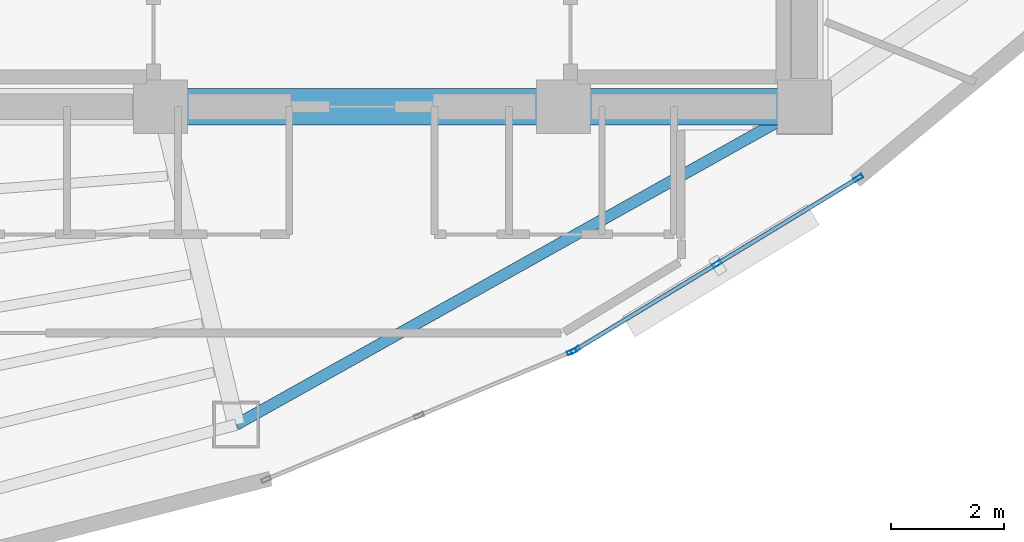
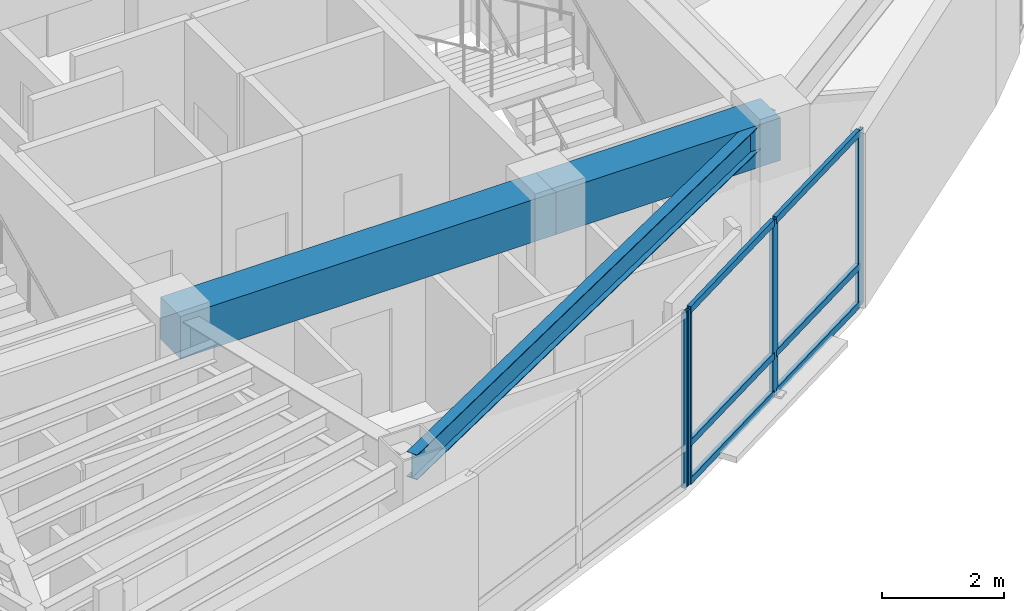
# One storey, part 5 of 15: 10 members, 3 beams, 2 elements without a shape of their own.
"""IFC4 building model written with IfcOpenShell, lengths in metres."""

import ifcopenshell
import ifcopenshell.guid

model = None  # the IFC model being written
_history = None  # IfcOwnerHistory: only IFC2X3 demands one
_inside = {}  # id of a spatial element -> (the spatial element, [elements in it])
_under = {}  # id of a project, library or spatial element -> (it, [spatial elements below it])
_declared = {}  # id of a project -> (the project, [libraries it declares])
_typed = {}  # id of a type object -> (the type object, [elements of that type])
_made_of = {}  # id of a material, layer set ... -> (it, [elements and type objects made of it])


def new_model(schema):
    """Start an empty IFC model of exactly this schema.

    Asked for "IFC4X3", IfcOpenShell would pick the latest addendum, in which some entities
    have other attributes; the version numbers below select the first issue.
    IFC2X3 requires an IfcOwnerHistory on every rooted entity: one is made here for all.
    """
    global model, _history
    if schema == "IFC4X3":
        model = ifcopenshell.file(schema_version=(4, 3, 0, 0))
    else:
        model = ifcopenshell.file(schema=schema)
    _inside.clear()
    _under.clear()
    _declared.clear()
    _typed.clear()
    _made_of.clear()
    _history = None
    if model.schema == "IFC2X3":
        org = make("IfcOrganization", Name="unknown")
        user = make(
            "IfcPersonAndOrganization",
            ThePerson=make("IfcPerson", FamilyName="unknown"),
            TheOrganization=org,
        )
        app = make(
            "IfcApplication",
            ApplicationDeveloper=org,
            Version="unknown",
            ApplicationFullName="unknown",
            ApplicationIdentifier="unknown",
        )
        _history = make(
            "IfcOwnerHistory",
            OwningUser=user,
            OwningApplication=app,
            ChangeAction="ADDED",
            CreationDate=0,
        )
    return model


def make(cls, **values):
    """One entity of the class cls with the attributes given. An attribute that is None is left unset."""
    return model.create_entity(
        cls, **{name: value for name, value in values.items() if value is not None}
    )


def rooted(cls, **values):
    """An entity with a GlobalId (a new one), such as an element, a storey or a relation."""
    return make(cls, GlobalId=ifcopenshell.guid.new(), OwnerHistory=_history, **values)


def si_unit(unit_type, name, prefix=None):
    """IfcSIUnit, for example si_unit("LENGTHUNIT", "METRE", prefix="MILLI")."""
    return make("IfcSIUnit", UnitType=unit_type, Prefix=prefix, Name=name)


def assignment(units):
    """IfcUnitAssignment: the units of a project."""
    return None if units is None else make("IfcUnitAssignment", Units=units)


def point(xyz):
    """IfcCartesianPoint."""
    return None if xyz is None else make("IfcCartesianPoint", Coordinates=xyz)


def direction(xyz):
    """IfcDirection."""
    return None if xyz is None else make("IfcDirection", DirectionRatios=xyz)


def frame(location, z_axis=None, x_axis=None):
    """IfcAxis2Placement3D, a coordinate frame: its origin and axes. An axis left out is left unset."""
    return make(
        "IfcAxis2Placement3D",
        Location=point(location),
        Axis=direction(z_axis),
        RefDirection=direction(x_axis),
    )


def frame_2d(location, x_axis=None):
    """IfcAxis2Placement2D, a coordinate frame in the plane: its origin and x axis."""
    return make(
        "IfcAxis2Placement2D", Location=point(location), RefDirection=direction(x_axis)
    )


def origin():
    """The frame at (0, 0, 0) with its axes left unset."""
    return frame((0.0, 0.0, 0.0))


def origin_2d():
    """The frame at (0, 0) in the plane with its x axis left unset."""
    return frame_2d((0.0, 0.0))


def place(relative_to, where):
    """IfcLocalPlacement: puts the frame where relative to a parent placement (None: the world)."""
    return make(
        "IfcLocalPlacement", PlacementRelTo=relative_to, RelativePlacement=where
    )


def context(
    kind, dimensions, precision=None, world=None, true_north=None, identifier=None
):
    """IfcGeometricRepresentationContext, for example the 3D "Model" context."""
    return make(
        "IfcGeometricRepresentationContext",
        ContextIdentifier=identifier,
        ContextType=kind,
        CoordinateSpaceDimension=dimensions,
        Precision=precision,
        WorldCoordinateSystem=world,
        TrueNorth=true_north,
    )


def subcontext(parent, identifier, kind, view, scale=None):
    """IfcGeometricRepresentationSubContext, for example "Body" below "Model"."""
    return make(
        "IfcGeometricRepresentationSubContext",
        ContextIdentifier=identifier,
        ContextType=kind,
        ParentContext=parent,
        TargetScale=scale,
        TargetView=view,
    )


def project(units=None, contexts=None):
    """IfcProject with its units and contexts."""
    return rooted(
        "IfcProject",
        Name="project",
        RepresentationContexts=contexts,
        UnitsInContext=assignment(units),
    )


def spatial(cls, under=None, at=None, **own):
    """A site, building, storey or space (cls), placed at a placement, below another one or the project."""
    s = rooted(cls, ObjectPlacement=at, **own)
    if under is not None:
        _under.setdefault(under.id(), (under, []))[1].append(s)
    return s


def profile(cls, at=None, kind="AREA", **sizes):
    """A parametric profile (cls). Its sizes go by their IFC names, for example OverallWidth=200.0."""
    return make(cls, ProfileType=kind, Position=at, **sizes)


def rectangle(**sizes):
    """IfcRectangleProfileDef."""
    return profile("IfcRectangleProfileDef", **sizes)


def hollow_rectangle(**sizes):
    """IfcRectangleHollowProfileDef."""
    return profile("IfcRectangleHollowProfileDef", **sizes)


def i_section(**sizes):
    """IfcIShapeProfileDef."""
    return profile("IfcIShapeProfileDef", **sizes)


def extrude(swept, where, along, depth):
    """IfcExtrudedAreaSolid: the profile swept, set in the frame where, extruded along a direction by depth."""
    return make(
        "IfcExtrudedAreaSolid",
        SweptArea=swept,
        Position=where,
        ExtrudedDirection=direction(along),
        Depth=depth,
    )


def shape(context_of_items, identifier, shape_type, items):
    """IfcShapeRepresentation: the items that make up one representation, for example the "Body"."""
    return make(
        "IfcShapeRepresentation",
        ContextOfItems=context_of_items,
        RepresentationIdentifier=identifier,
        RepresentationType=shape_type,
        Items=items,
    )


def material(Name=None, Category=None):
    """IfcMaterial."""
    return make("IfcMaterial", Name=Name, Category=Category)


def layer(
    of_material, thickness, ventilated=None, Name=None, Category=None, Priority=None
):
    """IfcMaterialLayer: one layer of a wall or slab, of a material (None: an air gap)."""
    return make(
        "IfcMaterialLayer",
        Material=of_material,
        LayerThickness=thickness,
        IsVentilated=ventilated,
        Name=Name,
        Category=Category,
        Priority=Priority,
    )


def layer_set(layers, Name=None):
    """IfcMaterialLayerSet."""
    return make("IfcMaterialLayerSet", MaterialLayers=layers, LayerSetName=Name)


def material_profile(
    of_material, cross_section, Name=None, Category=None, Priority=None
):
    """IfcMaterialProfile: a cross section and its material."""
    return make(
        "IfcMaterialProfile",
        Name=Name,
        Material=of_material,
        Profile=cross_section,
        Priority=Priority,
        Category=Category,
    )


def profile_set(profiles, Name=None, composite=None):
    """IfcMaterialProfileSet."""
    return make(
        "IfcMaterialProfileSet",
        Name=Name,
        MaterialProfiles=profiles,
        CompositeProfile=composite,
    )


def made_of(thing, what):
    """Note that an element or type object is made of a material, layer set ...; save() writes the relation."""
    if what is not None:
        _made_of.setdefault(what.id(), (what, []))[1].append(thing)
    return thing


def type_object(cls, material=None, **own):
    """A type object (cls), such as IfcWallType, which elements share."""
    return made_of(rooted(cls, **own), material)


def element(
    cls,
    number,
    at=None,
    inside=None,
    cuts=None,
    type_object=None,
    material=None,
    context=None,
    identifier="Body",
    shape_type=None,
    held_by="IfcProductDefinitionShape",
    body=None,
    shapes=None,
    **own,
):
    """One element of the class cls, such as IfcWall. Its Tag is "e" and its number.

    at: its placement. inside: the storey or other place that contains it. cuts: it is an
    opening in that element (IfcRelVoidsElement). A single representation is given by context,
    identifier, shape_type and body (its items); several are given by shapes. held_by: the class
    of the entity that holds the representations. save() writes the other relations.
    """
    e = rooted(cls, Tag="e%d" % number, ObjectPlacement=at, **own)
    if body is not None:
        shapes = [shape(context, identifier, shape_type, body)]
    if shapes is not None:
        e.Representation = make(held_by, Representations=shapes)
    if inside is not None:
        _inside.setdefault(inside.id(), (inside, []))[1].append(e)
    if cuts is not None:
        rooted(
            "IfcRelVoidsElement", RelatingBuildingElement=cuts, RelatedOpeningElement=e
        )
    if type_object is not None:
        _typed.setdefault(type_object.id(), (type_object, []))[1].append(e)
    return made_of(e, material)


def aggregate(whole, parts):
    """IfcRelAggregates: a whole, such as a stair, and the parts it consists of."""
    return rooted("IfcRelAggregates", RelatingObject=whole, RelatedObjects=parts)


def save(model, path):
    """Write the relations noted so far, then the file.

    IfcRelAggregates (storeys below a building ...), IfcRelContainedInSpatialStructure (elements
    in a storey), IfcRelDefinesByType, IfcRelAssociatesMaterial and IfcRelDeclares: one each for
    every whole, place, type object, material and project.
    """
    for whole, parts in _under.values():
        aggregate(whole, parts)
    for where, things in _inside.values():
        rooted(
            "IfcRelContainedInSpatialStructure",
            RelatedElements=things,
            RelatingStructure=where,
        )
    for kind, things in _typed.values():
        rooted("IfcRelDefinesByType", RelatedObjects=things, RelatingType=kind)
    for what, things in _made_of.values():
        rooted("IfcRelAssociatesMaterial", RelatedObjects=things, RelatingMaterial=what)
    for by, libraries in _declared.values():
        rooted("IfcRelDeclares", RelatingContext=by, RelatedDefinitions=libraries)
    model.write(path)


model = new_model("IFC4")

# Units and contexts
model_context = context("Model", 3, precision=1e-05, world=origin(), true_north=direction((0.0, 1.0)))
body_context = subcontext(model_context, "Body", "Model", "MODEL_VIEW")
ifc_project = project(units=[si_unit("LENGTHUNIT", "METRE"), si_unit("AREAUNIT", "SQUARE_METRE"), si_unit("VOLUMEUNIT", "CUBIC_METRE"), si_unit("PLANEANGLEUNIT", "RADIAN"), si_unit("MASSUNIT", "GRAM", prefix="KILO")], contexts=[model_context])

# Site, building, storey
site_placement = place(None, origin())
site = spatial("IfcSite", under=ifc_project, at=site_placement, CompositionType="ELEMENT")
building_placement = place(site_placement, origin())
building = spatial("IfcBuilding", under=site, at=building_placement, Name="Menara Vayukalpa", CompositionType="ELEMENT")
storey_placement = place(building_placement, frame((0.0, 0.0, 254.580078125)))
storey = spatial("IfcBuildingStorey", under=building, at=storey_placement, Name="L64", CompositionType="ELEMENT", Elevation=254.580078125)

# Beams
ifc_material_1 = material(Name="Concrete C60/75", Category="concrete")
ifc_material_profile_1 = material_profile(ifc_material_1, rectangle(XDim=0.64990234375, YDim=0.85009765625, at=origin_2d()), Name="RC 650x850")
ifc_profile_set_1 = profile_set([ifc_material_profile_1], Name="Concrete C60/75")
beam_type_1 = type_object("IfcBeamType", Name="BM-CB1", PredefinedType="BEAM", material=ifc_profile_set_1)
beam_1_placement = place(storey_placement, frame((22.050048828125, 17.199951171875, 3.074951171875), z_axis=(1.0, 0.0, 0.0), x_axis=(0.0, 1.0, 0.0)))
element("IfcBeam", 1, at=beam_1_placement, inside=storey, type_object=beam_type_1, Name="L64 Core Tie Beam CBR2", PredefinedType="BEAM", context=body_context, shape_type="SweptSolid", body=[
    extrude(rectangle(XDim=0.64990234375, YDim=0.85009765625, at=origin_2d()), origin(), (0.0, 0.0, 1.0), 7.099853515625),
])
beam_2_placement = place(storey_placement, frame((29.14990234375, 17.199951171875, 3.074951171875), z_axis=(1.0, 0.0, 0.0), x_axis=(0.0, 1.0, 0.0)))
element("IfcBeam", 2, at=beam_2_placement, inside=storey, type_object=beam_type_1, Name="L64 Core Tie Beam CBR3", PredefinedType="BEAM", context=body_context, shape_type="SweptSolid", body=[
    extrude(rectangle(XDim=0.64990234375, YDim=0.85009765625, at=origin_2d()), origin(), (0.0, 0.0, 1.0), 4.25),
])
ifc_material_2 = material(Name="Steel S355", Category="steel")
ifc_material_profile_2 = material_profile(ifc_material_2, i_section(OverallWidth=0.199951171875, OverallDepth=0.5, WebThickness=0.010009765625, FlangeThickness=0.01611328125, at=origin_2d()), Name="WF 500x200x10x16")
ifc_profile_set_2 = profile_set([ifc_material_profile_2], Name="Steel S355")
beam_type_2 = type_object("IfcBeamType", Name="BM-SP3", PredefinedType="SPANDREL", material=ifc_profile_set_2)
beam_3_placement = place(storey_placement, frame((23.3818359375, 11.59521484375, 3.25), z_axis=(0.87270577288, 0.48824648896, 0.0), x_axis=(-0.48824648896, 0.87270577288, 0.0)))
element("IfcBeam", 3, at=beam_3_placement, inside=storey, type_object=beam_type_2, Name="L64 Perimeter Spandrel Beam SP08", PredefinedType="SPANDREL", context=body_context, shape_type="SweptSolid", body=[
    extrude(i_section(OverallWidth=0.199951171875, OverallDepth=0.5, WebThickness=0.010009765625, FlangeThickness=0.01611328125, at=origin_2d()), origin(), (0.0, 0.0, 1.0), 11.479248046875),
])

# Curtain wall, member
ifc_material_3 = material(Name="Anodised Terracotta Aluminium Alloy 6063-T6", Category="masonry")
ifc_layer = layer(ifc_material_3, 0.1650390625)
ifc_layer_set = layer_set([ifc_layer], Name="Anodised Terracotta Aluminium Alloy 6063-T6")
curtain_wall_type = type_object("IfcCurtainWallType", Name="CW-CW6", PredefinedType="USERDEFINED", material=ifc_layer_set)
curtain_wall_1_placement = place(storey_placement, origin())
curtain_wall_1 = element("IfcCurtainWall", 4, at=curtain_wall_1_placement, inside=storey, type_object=curtain_wall_type, Name="L64 Observation and Executive Curtain Wall CW6 16", ObjectType="UNITISED", PredefinedType="USERDEFINED")
ifc_material_4 = material(Name="Anodised Terracotta Aluminium Alloy 6063-T6", Category="masonry")
ifc_material_profile_3 = material_profile(ifc_material_4, hollow_rectangle(XDim=0.070068359375, YDim=0.1650390625, WallThickness=0.00390625, at=origin_2d()), Name="ALU 70x165x4")
ifc_profile_set_3 = profile_set([ifc_material_profile_3], Name="Anodised Terracotta Aluminium Alloy 6063-T6")
member_type_1 = type_object("IfcMemberType", Name="CWM-CW6", PredefinedType="MULLION", material=ifc_profile_set_3)
member_1_placement = place(storey_placement, frame((29.298828125, 12.881103515625, 0.0), z_axis=(0.0, 0.0, 1.0), x_axis=(-0.385899911703, 0.922540653927, 0.0)))
member_1 = element("IfcMember", 5, at=member_1_placement, type_object=member_type_1, Name="CW6 mullion 3", PredefinedType="MULLION", context=body_context, shape_type="SweptSolid", body=[
    extrude(hollow_rectangle(XDim=0.070068359375, YDim=0.1650390625, WallThickness=0.00390625, at=origin_2d()), origin(), (0.0, 0.0, 1.0), 3.5),
])
aggregate(curtain_wall_1, [member_1])

# Curtain wall, members
curtain_wall_2_placement = place(storey_placement, origin())
curtain_wall_2 = element("IfcCurtainWall", 6, at=curtain_wall_2_placement, inside=storey, type_object=curtain_wall_type, Name="L64 Observation and Executive Curtain Wall CW6 17", ObjectType="UNITISED", PredefinedType="USERDEFINED")
member_2_placement = place(storey_placement, frame((29.36083984375, 12.912841796875, 0.0), z_axis=(0.0, 0.0, 1.0), x_axis=(-0.519175574558, 0.854667609532, 0.0)))
member_2 = element("IfcMember", 7, at=member_2_placement, type_object=member_type_1, Name="CW6 mullion 1", PredefinedType="MULLION", context=body_context, shape_type="SweptSolid", body=[
    extrude(hollow_rectangle(XDim=0.070068359375, YDim=0.1650390625, WallThickness=0.00390625, at=origin_2d()), origin(), (0.0, 0.0, 1.0), 3.5),
])
member_3_placement = place(storey_placement, frame((31.85546875, 14.42822265625, 0.0), z_axis=(0.0, 0.0, 1.0), x_axis=(-0.519175574558, 0.854667609532, 0.0)))
member_3 = element("IfcMember", 8, at=member_3_placement, type_object=member_type_1, Name="CW6 mullion 2", PredefinedType="MULLION", context=body_context, shape_type="SweptSolid", body=[
    extrude(hollow_rectangle(XDim=0.070068359375, YDim=0.1650390625, WallThickness=0.00390625, at=origin_2d()), origin(), (0.0, 0.0, 1.0), 3.5),
])
member_4_placement = place(storey_placement, frame((34.35009765625, 15.943603515625, 0.0), z_axis=(0.0, 0.0, 1.0), x_axis=(-0.519175574558, 0.854667609532, 0.0)))
member_4 = element("IfcMember", 9, at=member_4_placement, type_object=member_type_1, Name="CW6 mullion 3", PredefinedType="MULLION", context=body_context, shape_type="SweptSolid", body=[
    extrude(hollow_rectangle(XDim=0.070068359375, YDim=0.1650390625, WallThickness=0.00390625, at=origin_2d()), origin(), (0.0, 0.0, 1.0), 3.5),
])
ifc_material_5 = material(Name="Anodised Terracotta Aluminium Alloy 6063-T6", Category="masonry")
ifc_material_profile_4 = material_profile(ifc_material_5, hollow_rectangle(XDim=0.074951171875, YDim=0.135009765625, WallThickness=0.00390625, at=origin_2d()), Name="ALU 75x135x4")
ifc_profile_set_4 = profile_set([ifc_material_profile_4], Name="Anodised Terracotta Aluminium Alloy 6063-T6")
member_type_2 = type_object("IfcMemberType", Name="CWT-CW6", PredefinedType="USERDEFINED", material=ifc_profile_set_4)
member_5_placement = place(storey_placement, frame((29.390869140625, 12.93115234375, 0.037353515625), z_axis=(0.854689729536, 0.519139158825, 0.0), x_axis=(-0.519139158825, 0.854689729536, 0.0)))
member_5 = element("IfcMember", 10, at=member_5_placement, type_object=member_type_2, Name="CW6 transom 1.1", ObjectType="TRANSOM", PredefinedType="USERDEFINED", context=body_context, shape_type="SweptSolid", body=[
    extrude(hollow_rectangle(XDim=0.074951171875, YDim=0.135009765625, WallThickness=0.00390625, at=origin_2d()), origin(), (0.0, 0.0, 1.0), 2.848388671875),
])
member_6_placement = place(storey_placement, frame((29.390869140625, 12.93115234375, 0.7998046875), z_axis=(0.854689729536, 0.519139158825, 0.0), x_axis=(-0.519139158825, 0.854689729536, 0.0)))
member_6 = element("IfcMember", 11, at=member_6_placement, type_object=member_type_2, Name="CW6 transom 1.2", ObjectType="TRANSOM", PredefinedType="USERDEFINED", context=body_context, shape_type="SweptSolid", body=[
    extrude(hollow_rectangle(XDim=0.074951171875, YDim=0.135009765625, WallThickness=0.00390625, at=origin_2d()), origin(), (0.0, 0.0, 1.0), 2.848388671875),
])
member_7_placement = place(storey_placement, frame((29.390869140625, 12.93115234375, 3.46240234375), z_axis=(0.854689729536, 0.519139158825, 0.0), x_axis=(-0.519139158825, 0.854689729536, 0.0)))
member_7 = element("IfcMember", 12, at=member_7_placement, type_object=member_type_2, Name="CW6 transom 1.3", ObjectType="TRANSOM", PredefinedType="USERDEFINED", context=body_context, shape_type="SweptSolid", body=[
    extrude(hollow_rectangle(XDim=0.074951171875, YDim=0.135009765625, WallThickness=0.00390625, at=origin_2d()), origin(), (0.0, 0.0, 1.0), 2.848388671875),
])
member_8_placement = place(storey_placement, frame((31.88525390625, 14.4462890625, 0.037353515625), z_axis=(0.854674800659, 0.519163736328, 0.0), x_axis=(-0.519163736328, 0.85467480066, 0.0)))
member_8 = element("IfcMember", 13, at=member_8_placement, type_object=member_type_2, Name="CW6 transom 2.1", ObjectType="TRANSOM", PredefinedType="USERDEFINED", context=body_context, shape_type="SweptSolid", body=[
    extrude(hollow_rectangle(XDim=0.074951171875, YDim=0.135009765625, WallThickness=0.00390625, at=origin_2d()), origin(), (0.0, 0.0, 1.0), 2.848876953125),
])
member_9_placement = place(storey_placement, frame((31.88525390625, 14.4462890625, 0.7998046875), z_axis=(0.854674800659, 0.519163736328, 0.0), x_axis=(-0.519163736328, 0.85467480066, 0.0)))
member_9 = element("IfcMember", 14, at=member_9_placement, type_object=member_type_2, Name="CW6 transom 2.2", ObjectType="TRANSOM", PredefinedType="USERDEFINED", context=body_context, shape_type="SweptSolid", body=[
    extrude(hollow_rectangle(XDim=0.074951171875, YDim=0.135009765625, WallThickness=0.00390625, at=origin_2d()), origin(), (0.0, 0.0, 1.0), 2.848876953125),
])
member_10_placement = place(storey_placement, frame((31.88525390625, 14.4462890625, 3.46240234375), z_axis=(0.854674800659, 0.519163736328, 0.0), x_axis=(-0.519163736328, 0.85467480066, 0.0)))
member_10 = element("IfcMember", 15, at=member_10_placement, type_object=member_type_2, Name="CW6 transom 2.3", ObjectType="TRANSOM", PredefinedType="USERDEFINED", context=body_context, shape_type="SweptSolid", body=[
    extrude(hollow_rectangle(XDim=0.074951171875, YDim=0.135009765625, WallThickness=0.00390625, at=origin_2d()), origin(), (0.0, 0.0, 1.0), 2.848876953125),
])
aggregate(curtain_wall_2, [member_2, member_3, member_4, member_5, member_6, member_7, member_8, member_9, member_10])

save(model, "model.ifc")
